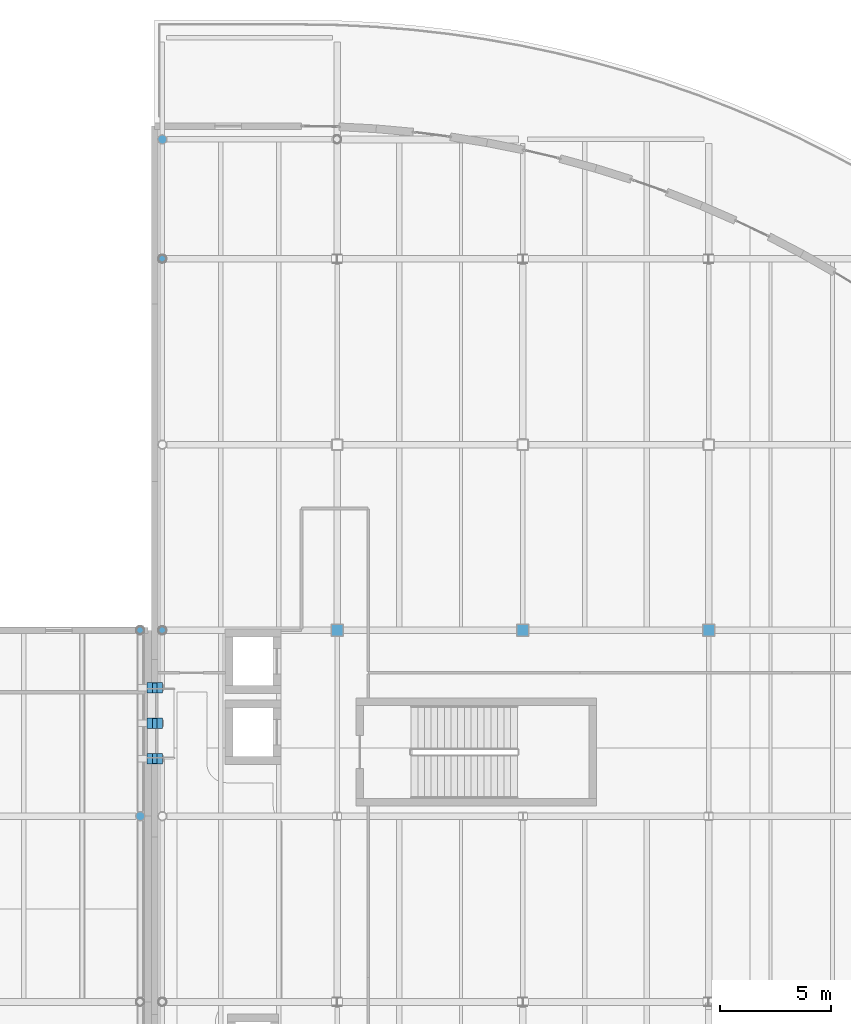
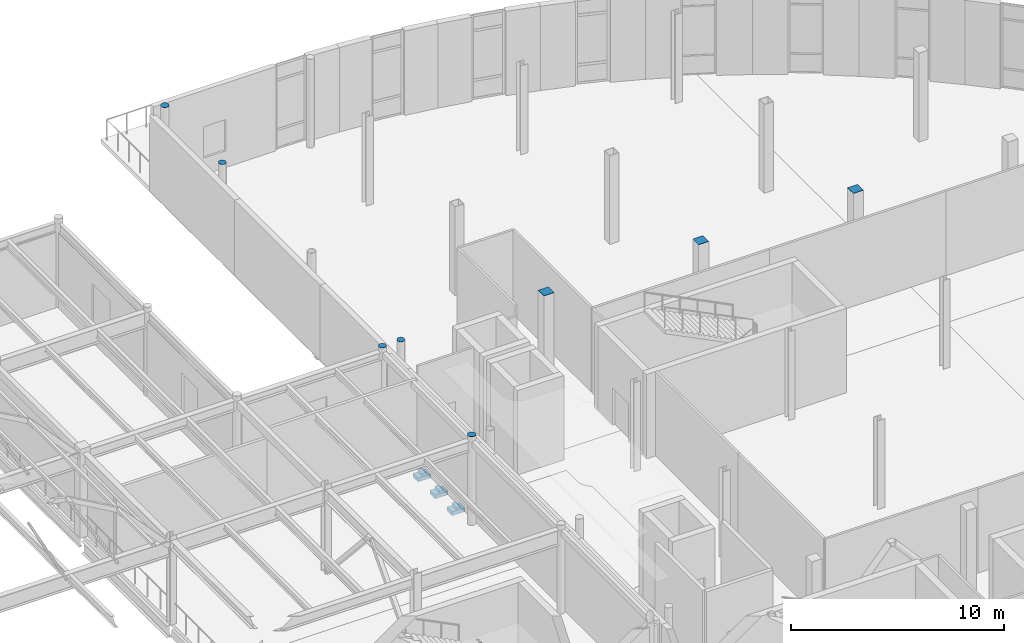
# One storey, part 82 of 103: 14 discrete accessories.
"""IFC4 building model written with IfcOpenShell, lengths in metres."""

from ifc_helpers import new_model, si_unit, direction, frame, origin, origin_2d, place, context, subcontext, project, spatial, rectangle, circle, extrude, material, type_object, element, save


model = new_model("IFC4")

# Units and contexts
model_context = context("Model", 3, precision=1e-05, world=origin(), true_north=direction((0.0, 1.0)))
body_context = subcontext(model_context, "Body", "Model", "MODEL_VIEW")
ifc_project = project(units=[si_unit("LENGTHUNIT", "METRE"), si_unit("AREAUNIT", "SQUARE_METRE"), si_unit("VOLUMEUNIT", "CUBIC_METRE"), si_unit("PLANEANGLEUNIT", "RADIAN"), si_unit("MASSUNIT", "GRAM", prefix="KILO"), si_unit("THERMODYNAMICTEMPERATUREUNIT", "KELVIN")], contexts=[model_context])

# Site, building, storey
site_placement = place(None, origin())
site = spatial("IfcSite", under=ifc_project, at=site_placement, CompositionType="ELEMENT")
building_placement = place(site_placement, origin())
building = spatial("IfcBuilding", under=site, at=building_placement, Name="Lustrewick Department Store", CompositionType="ELEMENT")
storey_placement = place(building_placement, frame((0.0, 0.0, 16.5)))
storey = spatial("IfcBuildingStorey", under=building, at=storey_placement, Name="L04", CompositionType="ELEMENT", Elevation=16.5)

# Discrete accessories
ifc_material = material(Name="Structural steel Q355C", Category="steel")
discrete_accessory_type_1 = type_object("IfcDiscreteAccessoryType", Name="SB-CORBEL", PredefinedType="BRACKET", material=ifc_material)
for number, where, z_axis, x_axis, name in (
    (1, (109.35009765625, 78.199951171875, -1.11279296875), (0.0, 0.0, 1.0), (1.0, 0.0, 0.0), "L04 Skybridge SB24 700 mm Bearing Seat Corbel 1"),
    (2, (109.35009765625, 79.800048828125, -1.11279296875), (0.0, 0.0, 1.0), (1.0, 0.0, 0.0), "L04 Skybridge SB24 700 mm Bearing Seat Corbel 2"),
    (3, (109.35009765625, 81.39990234375, -1.11279296875), (0.0, 0.0, 1.0), (1.0, 0.0, 0.0), "L04 Skybridge SB24 700 mm Bearing Seat Corbel 3"),
):
    element("IfcDiscreteAccessory", number, at=place(storey_placement, frame(where, z_axis=z_axis, x_axis=x_axis)), inside=storey, type_object=discrete_accessory_type_1, Name=name, PredefinedType="BRACKET", context=body_context, shape_type="SweptSolid", body=[
        extrude(rectangle(XDim=0.699951171875, YDim=0.47998046875, at=origin_2d()), origin(), (0.0, 0.0, 1.0), 0.219970703125),
    ])
discrete_accessory_type_2 = type_object("IfcDiscreteAccessoryType", Name="SB-PTFE", PredefinedType="BRACKET", material=ifc_material)
for number, where, z_axis, x_axis, name in (
    (4, (109.35009765625, 78.199951171875, -0.89306640625), (0.0, 0.0, 1.0), (1.0, 0.0, 0.0), "L04 Skybridge SB24 PTFE Sliding Bearing 1"),
    (5, (109.35009765625, 79.800048828125, -0.89306640625), (0.0, 0.0, 1.0), (1.0, 0.0, 0.0), "L04 Skybridge SB24 PTFE Sliding Bearing 2"),
    (6, (109.35009765625, 81.39990234375, -0.89306640625), (0.0, 0.0, 1.0), (1.0, 0.0, 0.0), "L04 Skybridge SB24 PTFE Sliding Bearing 3"),
):
    element("IfcDiscreteAccessory", number, at=place(storey_placement, frame(where, z_axis=z_axis, x_axis=x_axis)), inside=storey, type_object=discrete_accessory_type_2, Name=name, PredefinedType="BRACKET", context=body_context, shape_type="SweptSolid", body=[
        extrude(rectangle(XDim=0.199951171875, YDim=0.449951171875, at=origin_2d()), origin(), (0.0, 0.0, 1.0), 0.159912109375),
    ])
discrete_accessory_type_3 = type_object("IfcDiscreteAccessoryType", Name="ECP-01", PredefinedType="USERDEFINED", material=ifc_material)
discrete_accessory_1_placement = place(storey_placement, frame((117.60009765625, 84.0, 5.093994140625), z_axis=(0.0, 0.0, 1.0), x_axis=(1.0, 0.0, 0.0)))
element("IfcDiscreteAccessory", 7, at=discrete_accessory_1_placement, inside=storey, type_object=discrete_accessory_type_3, Name="L04 Welded Hollow-Section End-Cap Plate ECP-01", ObjectType="END_CAP_PLATE", PredefinedType="USERDEFINED", context=body_context, shape_type="SweptSolid", body=[
    extrude(rectangle(XDim=0.550048828125, YDim=0.550048828125, at=origin_2d()), origin(), (0.0, 0.0, 1.0), 0.01611328125),
])
discrete_accessory_2_placement = place(storey_placement, frame((108.699951171875, 75.60009765625, 5.093994140625), z_axis=(0.0, 0.0, 1.0), x_axis=(1.0, 0.0, 0.0)))
element("IfcDiscreteAccessory", 8, at=discrete_accessory_2_placement, inside=storey, type_object=discrete_accessory_type_3, Name="L04 Welded Hollow-Section End-Cap Plate ECP-01", ObjectType="END_CAP_PLATE", PredefinedType="USERDEFINED", context=body_context, shape_type="SweptSolid", body=[
    extrude(circle(Radius=0.202880859375, at=origin_2d()), origin(), (0.0, 0.0, 1.0), 0.01611328125),
])
discrete_accessory_3_placement = place(storey_placement, frame((126.0, 84.0, 5.093994140625), z_axis=(0.0, 0.0, 1.0), x_axis=(1.0, 0.0, 0.0)))
element("IfcDiscreteAccessory", 9, at=discrete_accessory_3_placement, inside=storey, type_object=discrete_accessory_type_3, Name="L04 Welded Hollow-Section End-Cap Plate ECP-01", ObjectType="END_CAP_PLATE", PredefinedType="USERDEFINED", context=body_context, shape_type="SweptSolid", body=[
    extrude(rectangle(XDim=0.550048828125, YDim=0.550048828125, at=origin_2d()), origin(), (0.0, 0.0, 1.0), 0.01611328125),
])
for number, where, z_axis, x_axis, name in (
    (10, (109.699951171875, 84.0, 5.093994140625), (0.0, 0.0, 1.0), (1.0, 0.0, 0.0), "L04 Welded Hollow-Section End-Cap Plate ECP-01"),
    (11, (109.699951171875, 100.800048828125, 5.093994140625), (0.0, 0.0, 1.0), (1.0, 0.0, 0.0), "L04 Welded Hollow-Section End-Cap Plate ECP-01"),
):
    element("IfcDiscreteAccessory", number, at=place(storey_placement, frame(where, z_axis=z_axis, x_axis=x_axis)), inside=storey, type_object=discrete_accessory_type_3, Name=name, ObjectType="END_CAP_PLATE", PredefinedType="USERDEFINED", context=body_context, shape_type="SweptSolid", body=[
        extrude(circle(Radius=0.1884765625, at=origin_2d()), origin(), (0.0, 0.0, 1.0), 0.01611328125),
    ])
discrete_accessory_4_placement = place(storey_placement, frame((134.39990234375, 84.0, 5.093994140625), z_axis=(0.0, 0.0, 1.0), x_axis=(1.0, 0.0, 0.0)))
element("IfcDiscreteAccessory", 12, at=discrete_accessory_4_placement, inside=storey, type_object=discrete_accessory_type_3, Name="L04 Welded Hollow-Section End-Cap Plate ECP-01", ObjectType="END_CAP_PLATE", PredefinedType="USERDEFINED", context=body_context, shape_type="SweptSolid", body=[
    extrude(rectangle(XDim=0.550048828125, YDim=0.550048828125, at=origin_2d()), origin(), (0.0, 0.0, 1.0), 0.01611328125),
])
discrete_accessory_5_placement = place(storey_placement, frame((108.699951171875, 84.0, 5.093994140625), z_axis=(0.0, 0.0, 1.0), x_axis=(1.0, 0.0, 0.0)))
element("IfcDiscreteAccessory", 13, at=discrete_accessory_5_placement, inside=storey, type_object=discrete_accessory_type_3, Name="L04 Welded Hollow-Section End-Cap Plate ECP-01", ObjectType="END_CAP_PLATE", PredefinedType="USERDEFINED", context=body_context, shape_type="SweptSolid", body=[
    extrude(circle(Radius=0.1884765625, at=origin_2d()), origin(), (0.0, 0.0, 1.0), 0.01611328125),
])
discrete_accessory_6_placement = place(storey_placement, frame((109.699951171875, 106.199951171875, 5.093994140625), z_axis=(0.0, 0.0, 1.0), x_axis=(1.0, 0.0, 0.0)))
element("IfcDiscreteAccessory", 14, at=discrete_accessory_6_placement, inside=storey, type_object=discrete_accessory_type_3, Name="L04 Welded Hollow-Section End-Cap Plate ECP-01", ObjectType="END_CAP_PLATE", PredefinedType="USERDEFINED", context=body_context, shape_type="SweptSolid", body=[
    extrude(circle(Radius=0.202880859375, at=origin_2d()), origin(), (0.0, 0.0, 1.0), 0.01611328125),
])

save(model, "model.ifc")
